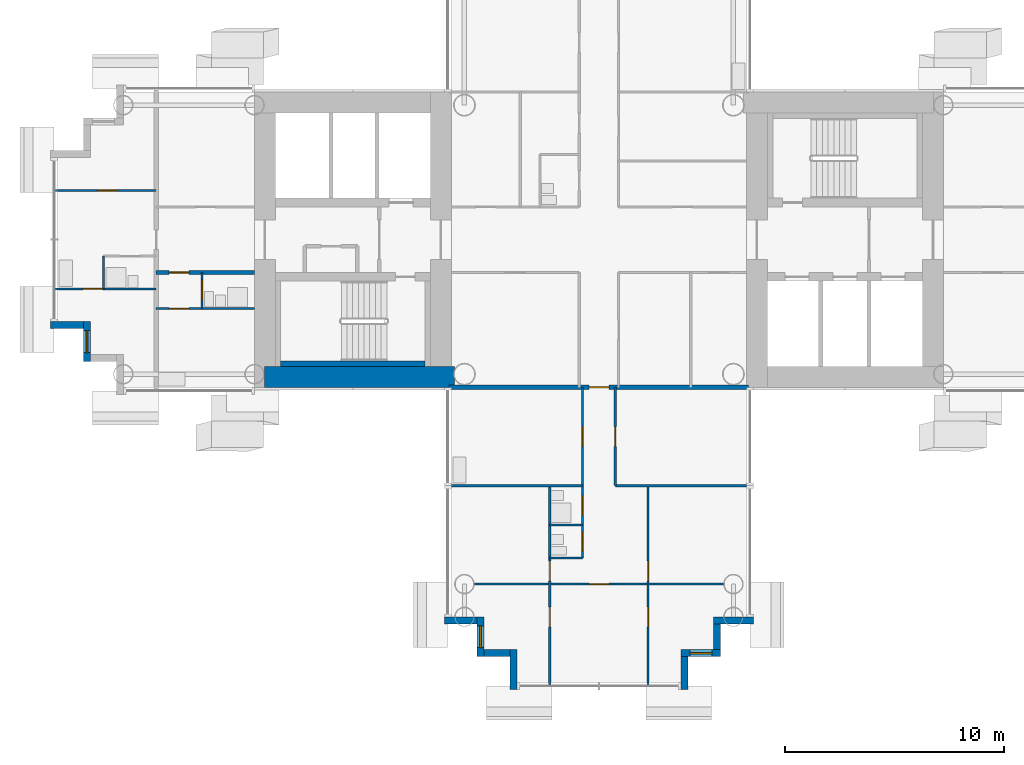
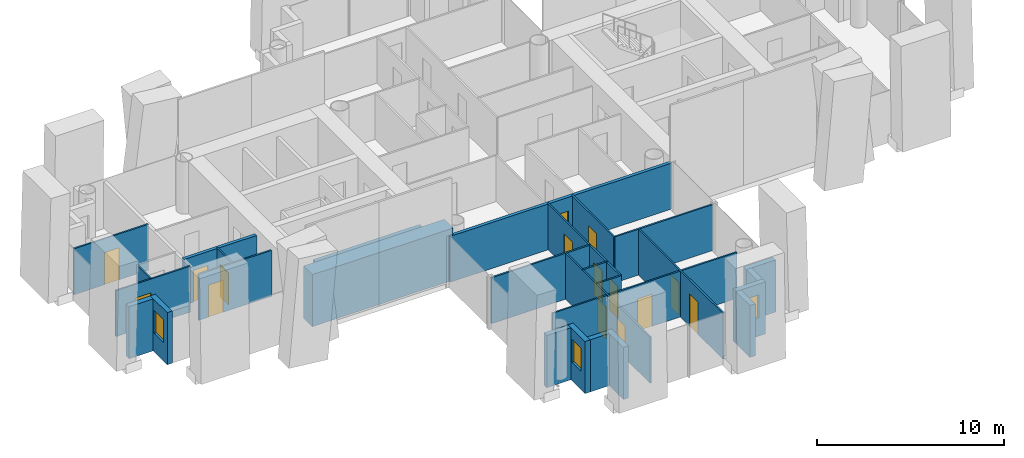
# One storey, part 8 of 21: 28 walls, 15 doors, 3 windows, 18 openings.
"""IFC4 building model written with IfcOpenShell, lengths in metres."""

import ifcopenshell
import ifcopenshell.guid

model = None  # the IFC model being written
_history = None  # IfcOwnerHistory: only IFC2X3 demands one
_inside = {}  # id of a spatial element -> (the spatial element, [elements in it])
_under = {}  # id of a project, library or spatial element -> (it, [spatial elements below it])
_declared = {}  # id of a project -> (the project, [libraries it declares])
_typed = {}  # id of a type object -> (the type object, [elements of that type])
_made_of = {}  # id of a material, layer set ... -> (it, [elements and type objects made of it])


def new_model(schema):
    """Start an empty IFC model of exactly this schema.

    Asked for "IFC4X3", IfcOpenShell would pick the latest addendum, in which some entities
    have other attributes; the version numbers below select the first issue.
    IFC2X3 requires an IfcOwnerHistory on every rooted entity: one is made here for all.
    """
    global model, _history
    if schema == "IFC4X3":
        model = ifcopenshell.file(schema_version=(4, 3, 0, 0))
    else:
        model = ifcopenshell.file(schema=schema)
    _inside.clear()
    _under.clear()
    _declared.clear()
    _typed.clear()
    _made_of.clear()
    _history = None
    if model.schema == "IFC2X3":
        org = make("IfcOrganization", Name="unknown")
        user = make(
            "IfcPersonAndOrganization",
            ThePerson=make("IfcPerson", FamilyName="unknown"),
            TheOrganization=org,
        )
        app = make(
            "IfcApplication",
            ApplicationDeveloper=org,
            Version="unknown",
            ApplicationFullName="unknown",
            ApplicationIdentifier="unknown",
        )
        _history = make(
            "IfcOwnerHistory",
            OwningUser=user,
            OwningApplication=app,
            ChangeAction="ADDED",
            CreationDate=0,
        )
    return model


def make(cls, **values):
    """One entity of the class cls with the attributes given. An attribute that is None is left unset."""
    return model.create_entity(
        cls, **{name: value for name, value in values.items() if value is not None}
    )


def rooted(cls, **values):
    """An entity with a GlobalId (a new one), such as an element, a storey or a relation."""
    return make(cls, GlobalId=ifcopenshell.guid.new(), OwnerHistory=_history, **values)


def si_unit(unit_type, name, prefix=None):
    """IfcSIUnit, for example si_unit("LENGTHUNIT", "METRE", prefix="MILLI")."""
    return make("IfcSIUnit", UnitType=unit_type, Prefix=prefix, Name=name)


def assignment(units):
    """IfcUnitAssignment: the units of a project."""
    return None if units is None else make("IfcUnitAssignment", Units=units)


def point(xyz):
    """IfcCartesianPoint."""
    return None if xyz is None else make("IfcCartesianPoint", Coordinates=xyz)


def direction(xyz):
    """IfcDirection."""
    return None if xyz is None else make("IfcDirection", DirectionRatios=xyz)


def frame(location, z_axis=None, x_axis=None):
    """IfcAxis2Placement3D, a coordinate frame: its origin and axes. An axis left out is left unset."""
    return make(
        "IfcAxis2Placement3D",
        Location=point(location),
        Axis=direction(z_axis),
        RefDirection=direction(x_axis),
    )


def frame_2d(location, x_axis=None):
    """IfcAxis2Placement2D, a coordinate frame in the plane: its origin and x axis."""
    return make(
        "IfcAxis2Placement2D", Location=point(location), RefDirection=direction(x_axis)
    )


def origin():
    """The frame at (0, 0, 0) with its axes left unset."""
    return frame((0.0, 0.0, 0.0))


def place(relative_to, where):
    """IfcLocalPlacement: puts the frame where relative to a parent placement (None: the world)."""
    return make(
        "IfcLocalPlacement", PlacementRelTo=relative_to, RelativePlacement=where
    )


def context(
    kind, dimensions, precision=None, world=None, true_north=None, identifier=None
):
    """IfcGeometricRepresentationContext, for example the 3D "Model" context."""
    return make(
        "IfcGeometricRepresentationContext",
        ContextIdentifier=identifier,
        ContextType=kind,
        CoordinateSpaceDimension=dimensions,
        Precision=precision,
        WorldCoordinateSystem=world,
        TrueNorth=true_north,
    )


def subcontext(parent, identifier, kind, view, scale=None):
    """IfcGeometricRepresentationSubContext, for example "Body" below "Model"."""
    return make(
        "IfcGeometricRepresentationSubContext",
        ContextIdentifier=identifier,
        ContextType=kind,
        ParentContext=parent,
        TargetScale=scale,
        TargetView=view,
    )


def project(units=None, contexts=None):
    """IfcProject with its units and contexts."""
    return rooted(
        "IfcProject",
        Name="project",
        RepresentationContexts=contexts,
        UnitsInContext=assignment(units),
    )


def spatial(cls, under=None, at=None, **own):
    """A site, building, storey or space (cls), placed at a placement, below another one or the project."""
    s = rooted(cls, ObjectPlacement=at, **own)
    if under is not None:
        _under.setdefault(under.id(), (under, []))[1].append(s)
    return s


def profile(cls, at=None, kind="AREA", **sizes):
    """A parametric profile (cls). Its sizes go by their IFC names, for example OverallWidth=200.0."""
    return make(cls, ProfileType=kind, Position=at, **sizes)


def rectangle(**sizes):
    """IfcRectangleProfileDef."""
    return profile("IfcRectangleProfileDef", **sizes)


def extrude(swept, where, along, depth):
    """IfcExtrudedAreaSolid: the profile swept, set in the frame where, extruded along a direction by depth."""
    return make(
        "IfcExtrudedAreaSolid",
        SweptArea=swept,
        Position=where,
        ExtrudedDirection=direction(along),
        Depth=depth,
    )


def shape(context_of_items, identifier, shape_type, items):
    """IfcShapeRepresentation: the items that make up one representation, for example the "Body"."""
    return make(
        "IfcShapeRepresentation",
        ContextOfItems=context_of_items,
        RepresentationIdentifier=identifier,
        RepresentationType=shape_type,
        Items=items,
    )


def material(Name=None, Category=None):
    """IfcMaterial."""
    return make("IfcMaterial", Name=Name, Category=Category)


def layer(
    of_material, thickness, ventilated=None, Name=None, Category=None, Priority=None
):
    """IfcMaterialLayer: one layer of a wall or slab, of a material (None: an air gap)."""
    return make(
        "IfcMaterialLayer",
        Material=of_material,
        LayerThickness=thickness,
        IsVentilated=ventilated,
        Name=Name,
        Category=Category,
        Priority=Priority,
    )


def layer_set(layers, Name=None):
    """IfcMaterialLayerSet."""
    return make("IfcMaterialLayerSet", MaterialLayers=layers, LayerSetName=Name)


def made_of(thing, what):
    """Note that an element or type object is made of a material, layer set ...; save() writes the relation."""
    if what is not None:
        _made_of.setdefault(what.id(), (what, []))[1].append(thing)
    return thing


def type_object(cls, material=None, **own):
    """A type object (cls), such as IfcWallType, which elements share."""
    return made_of(rooted(cls, **own), material)


def element(
    cls,
    number,
    at=None,
    inside=None,
    cuts=None,
    type_object=None,
    material=None,
    context=None,
    identifier="Body",
    shape_type=None,
    held_by="IfcProductDefinitionShape",
    body=None,
    shapes=None,
    **own,
):
    """One element of the class cls, such as IfcWall. Its Tag is "e" and its number.

    at: its placement. inside: the storey or other place that contains it. cuts: it is an
    opening in that element (IfcRelVoidsElement). A single representation is given by context,
    identifier, shape_type and body (its items); several are given by shapes. held_by: the class
    of the entity that holds the representations. save() writes the other relations.
    """
    e = rooted(cls, Tag="e%d" % number, ObjectPlacement=at, **own)
    if body is not None:
        shapes = [shape(context, identifier, shape_type, body)]
    if shapes is not None:
        e.Representation = make(held_by, Representations=shapes)
    if inside is not None:
        _inside.setdefault(inside.id(), (inside, []))[1].append(e)
    if cuts is not None:
        rooted(
            "IfcRelVoidsElement", RelatingBuildingElement=cuts, RelatedOpeningElement=e
        )
    if type_object is not None:
        _typed.setdefault(type_object.id(), (type_object, []))[1].append(e)
    return made_of(e, material)


def fill(opening, filler):
    """IfcRelFillsElement: the door or window that sits in an opening."""
    return rooted(
        "IfcRelFillsElement",
        RelatingOpeningElement=opening,
        RelatedBuildingElement=filler,
    )


def aggregate(whole, parts):
    """IfcRelAggregates: a whole, such as a stair, and the parts it consists of."""
    return rooted("IfcRelAggregates", RelatingObject=whole, RelatedObjects=parts)


def save(model, path):
    """Write the relations noted so far, then the file.

    IfcRelAggregates (storeys below a building ...), IfcRelContainedInSpatialStructure (elements
    in a storey), IfcRelDefinesByType, IfcRelAssociatesMaterial and IfcRelDeclares: one each for
    every whole, place, type object, material and project.
    """
    for whole, parts in _under.values():
        aggregate(whole, parts)
    for where, things in _inside.values():
        rooted(
            "IfcRelContainedInSpatialStructure",
            RelatedElements=things,
            RelatingStructure=where,
        )
    for kind, things in _typed.values():
        rooted("IfcRelDefinesByType", RelatedObjects=things, RelatingType=kind)
    for what, things in _made_of.values():
        rooted("IfcRelAssociatesMaterial", RelatedObjects=things, RelatingMaterial=what)
    for by, libraries in _declared.values():
        rooted("IfcRelDeclares", RelatingContext=by, RelatedDefinitions=libraries)
    model.write(path)


model = new_model("IFC4")

# Units and contexts
model_context = context("Model", 3, precision=1e-05, world=origin(), true_north=direction((0.0, 1.0)))
body_context = subcontext(model_context, "Body", "Model", "MODEL_VIEW")
ifc_project = project(units=[si_unit("LENGTHUNIT", "METRE"), si_unit("AREAUNIT", "SQUARE_METRE"), si_unit("VOLUMEUNIT", "CUBIC_METRE"), si_unit("PLANEANGLEUNIT", "RADIAN"), si_unit("MASSUNIT", "GRAM", prefix="KILO")], contexts=[model_context])

# Site, building, storey
site_placement = place(None, origin())
site = spatial("IfcSite", under=ifc_project, at=site_placement, CompositionType="ELEMENT")
building_placement = place(site_placement, origin())
building = spatial("IfcBuilding", under=site, at=building_placement, Name="Ipe Terrace Towers", CompositionType="ELEMENT")
storey_placement = place(building_placement, frame((0.0, 0.0, 93.60009765625)))
storey = spatial("IfcBuildingStorey", under=building, at=storey_placement, Name="L25", CompositionType="ELEMENT", Elevation=93.60009765625)

# Wall
ifc_material_1 = material(Name="Concrete C40/50 with buff precast cladding", Category="concrete")
ifc_layer_1 = layer(ifc_material_1, 0.320068359375)
ifc_layer_set_1 = layer_set([ifc_layer_1], Name="BUFF CLADDING WALL 320")
wall_type_1 = type_object("IfcWallType", Name="BUFF CLADDING WALL 320", PredefinedType="STANDARD", material=ifc_layer_set_1)
wall_1_placement = place(storey_placement, frame((-61.070068359375, -3.909912109375, -0.300048828125), z_axis=(0.0, 0.0, 1.0), x_axis=(1.0, 0.0, 0.0)))
element("IfcWall", 1, at=wall_1_placement, inside=storey, type_object=wall_type_1, Name="T1-W-L25-00a wall", PredefinedType="STANDARD", context=body_context, shape_type="SweptSolid", body=[
    extrude(rectangle(XDim=1.5, YDim=0.320068359375, at=frame_2d((0.75, 0.0))), origin(), (0.0, 0.0, 1.0), 3.39990234375),
])

# Wall, opening, window
wall_2_placement = place(storey_placement, frame((-59.409912109375, -3.75, -0.300048828125), z_axis=(0.0, 0.0, 1.0), x_axis=(0.0, -1.0, 0.0)))
wall_2 = element("IfcWall", 2, at=wall_2_placement, inside=storey, type_object=wall_type_1, Name="T1-W-L25-01a wall", PredefinedType="STANDARD", context=body_context, shape_type="SweptSolid", body=[
    extrude(rectangle(XDim=1.820068359375, YDim=0.320068359375, at=frame_2d((0.91015625, 0.0))), origin(), (0.0, 0.0, 1.0), 3.39990234375),
])
opening_1_placement = place(wall_2_placement, frame((0.409912109375, 0.0, 1.199951171875)))
opening_1 = element("IfcOpeningElement", 3, at=opening_1_placement, cuts=wall_2, Name="Opening T1-W-05-L25-03", PredefinedType="OPENING", context=body_context, shape_type="SweptSolid", body=[
    extrude(rectangle(XDim=1.0, YDim=1.5, at=frame_2d((0.5, 0.75))), frame((0.0, 0.169921875, 0.0), z_axis=(0.0, -1.0, 0.0), x_axis=(1.0, 0.0, 0.0)), (0.0, 0.0, 1.0), 0.340087890625),
])
ifc_material_2 = material(Name="Glass, clear laminated", Category="glass")
window_type = type_object("IfcWindowType", Name="DWELLING WINDOW 1000 x 1500", PartitioningType="SINGLE_PANEL", PredefinedType="WINDOW", material=ifc_material_2)
window_1_placement = place(opening_1_placement, origin())
window_1 = element("IfcWindow", 4, at=window_1_placement, inside=storey, type_object=window_type, Name="W-05 window", OverallHeight=1.5, OverallWidth=1.0, PartitioningType="SINGLE_PANEL", PredefinedType="WINDOW", context=body_context, shape_type="SweptSolid", body=[
    extrude(rectangle(XDim=1.0, YDim=1.5, at=frame_2d((0.5, 0.75))), frame((0.0, 0.030029296875, 0.0), z_axis=(0.0, -1.0, 0.0), x_axis=(1.0, 0.0, 0.0)), (0.0, 0.0, 1.0), 0.06005859375),
])
fill(opening_1, window_1)

# Wall
wall_3_placement = place(storey_placement, frame((-43.070068359375, -17.409912109375, -0.300048828125), z_axis=(0.0, 0.0, 1.0), x_axis=(1.0, 0.0, 0.0)))
element("IfcWall", 5, at=wall_3_placement, inside=storey, type_object=wall_type_1, Name="T1-W-L25-08a wall", PredefinedType="STANDARD", context=body_context, shape_type="SweptSolid", body=[
    extrude(rectangle(XDim=1.5, YDim=0.320068359375, at=frame_2d((0.75, 0.0))), origin(), (0.0, 0.0, 1.0), 3.39990234375),
])

# Wall, opening, window
wall_4_placement = place(storey_placement, frame((-41.409912109375, -17.25, -0.300048828125), z_axis=(0.0, 0.0, 1.0), x_axis=(0.0, -1.0, 0.0)))
wall_4 = element("IfcWall", 6, at=wall_4_placement, inside=storey, type_object=wall_type_1, Name="T1-W-L25-09a wall", PredefinedType="STANDARD", context=body_context, shape_type="SweptSolid", body=[
    extrude(rectangle(XDim=1.820068359375, YDim=0.320068359375, at=frame_2d((0.91015625, 0.0))), origin(), (0.0, 0.0, 1.0), 3.39990234375),
])
opening_2_placement = place(wall_4_placement, frame((0.409912109375, 0.0, 1.199951171875)))
opening_2 = element("IfcOpeningElement", 7, at=opening_2_placement, cuts=wall_4, Name="Opening T1-W-05-L25-02", PredefinedType="OPENING", context=body_context, shape_type="SweptSolid", body=[
    extrude(rectangle(XDim=1.0, YDim=1.5, at=frame_2d((0.5, 0.75))), frame((0.0, 0.169921875, 0.0), z_axis=(0.0, -1.0, 0.0), x_axis=(1.0, 0.0, 0.0)), (0.0, 0.0, 1.0), 0.340087890625),
])
window_2_placement = place(opening_2_placement, origin())
window_2 = element("IfcWindow", 8, at=window_2_placement, inside=storey, type_object=window_type, Name="W-05 window", OverallHeight=1.5, OverallWidth=1.0, PartitioningType="SINGLE_PANEL", PredefinedType="WINDOW", context=body_context, shape_type="SweptSolid", body=[
    extrude(rectangle(XDim=1.0, YDim=1.5, at=frame_2d((0.5, 0.75))), frame((0.0, 0.030029296875, 0.0), z_axis=(0.0, -1.0, 0.0), x_axis=(1.0, 0.0, 0.0)), (0.0, 0.0, 1.0), 0.06005859375),
])
fill(opening_2, window_2)

# Walls
wall_5_placement = place(storey_placement, frame((-41.25, -18.909912109375, -0.300048828125), z_axis=(0.0, 0.0, 1.0), x_axis=(1.0, 0.0, 0.0)))
element("IfcWall", 9, at=wall_5_placement, inside=storey, type_object=wall_type_1, Name="T1-W-L25-10a wall", PredefinedType="STANDARD", context=body_context, shape_type="SweptSolid", body=[
    extrude(rectangle(XDim=1.179931640625, YDim=0.320068359375, at=frame_2d((0.58984375, 0.0))), origin(), (0.0, 0.0, 1.0), 3.39990234375),
])
wall_6_placement = place(storey_placement, frame((-39.909912109375, -18.75, -0.300048828125), z_axis=(0.0, 0.0, 1.0), x_axis=(0.0, -1.0, 0.0)))
element("IfcWall", 10, at=wall_6_placement, inside=storey, type_object=wall_type_1, Name="T1-W-L25-11a wall", PredefinedType="STANDARD", context=body_context, shape_type="SweptSolid", body=[
    extrude(rectangle(XDim=1.820068359375, YDim=0.320068359375, at=frame_2d((0.91015625, 0.0))), origin(), (0.0, 0.0, 1.0), 3.39990234375),
])
wall_7_placement = place(storey_placement, frame((-32.090087890625, -20.570068359375, -0.300048828125), z_axis=(0.0, 0.0, 1.0), x_axis=(0.0, 1.0, 0.0)))
element("IfcWall", 11, at=wall_7_placement, inside=storey, type_object=wall_type_1, Name="T1-W-L25-13a wall", PredefinedType="STANDARD", context=body_context, shape_type="SweptSolid", body=[
    extrude(rectangle(XDim=1.5, YDim=0.320068359375, at=frame_2d((0.75, 0.0))), origin(), (0.0, 0.0, 1.0), 3.39990234375),
])

# Wall, opening, window
wall_8_placement = place(storey_placement, frame((-32.25, -18.909912109375, -0.300048828125), z_axis=(0.0, 0.0, 1.0), x_axis=(1.0, 0.0, 0.0)))
wall_8 = element("IfcWall", 12, at=wall_8_placement, inside=storey, type_object=wall_type_1, Name="T1-W-L25-14a wall", PredefinedType="STANDARD", context=body_context, shape_type="SweptSolid", body=[
    extrude(rectangle(XDim=1.820068359375, YDim=0.320068359375, at=frame_2d((0.91015625, 0.0))), origin(), (0.0, 0.0, 1.0), 3.39990234375),
])
opening_3_placement = place(wall_8_placement, frame((0.409912109375, 0.0, 1.199951171875)))
opening_3 = element("IfcOpeningElement", 13, at=opening_3_placement, cuts=wall_8, Name="Opening T1-W-05-L25-01", PredefinedType="OPENING", context=body_context, shape_type="SweptSolid", body=[
    extrude(rectangle(XDim=1.0, YDim=1.5, at=frame_2d((0.5, 0.75))), frame((0.0, 0.169921875, 0.0), z_axis=(0.0, -1.0, 0.0), x_axis=(1.0, 0.0, 0.0)), (0.0, 0.0, 1.0), 0.340087890625),
])
window_3_placement = place(opening_3_placement, origin())
window_3 = element("IfcWindow", 14, at=window_3_placement, inside=storey, type_object=window_type, Name="W-05 window", OverallHeight=1.5, OverallWidth=1.0, PartitioningType="SINGLE_PANEL", PredefinedType="WINDOW", context=body_context, shape_type="SweptSolid", body=[
    extrude(rectangle(XDim=1.0, YDim=1.5, at=frame_2d((0.5, 0.75))), frame((0.0, 0.030029296875, 0.0), z_axis=(0.0, -1.0, 0.0), x_axis=(1.0, 0.0, 0.0)), (0.0, 0.0, 1.0), 0.06005859375),
])
fill(opening_3, window_3)

# Walls
wall_9_placement = place(storey_placement, frame((-30.590087890625, -18.75, -0.300048828125), z_axis=(0.0, 0.0, 1.0), x_axis=(0.0, 1.0, 0.0)))
element("IfcWall", 15, at=wall_9_placement, inside=storey, type_object=wall_type_1, Name="T1-W-L25-15a wall", PredefinedType="STANDARD", context=body_context, shape_type="SweptSolid", body=[
    extrude(rectangle(XDim=1.179931640625, YDim=0.320068359375, at=frame_2d((0.58984375, 0.0))), origin(), (0.0, 0.0, 1.0), 3.39990234375),
])
wall_10_placement = place(storey_placement, frame((-30.75, -17.409912109375, -0.300048828125), z_axis=(0.0, 0.0, 1.0), x_axis=(1.0, 0.0, 0.0)))
element("IfcWall", 16, at=wall_10_placement, inside=storey, type_object=wall_type_1, Name="T1-W-L25-16a wall", PredefinedType="STANDARD", context=body_context, shape_type="SweptSolid", body=[
    extrude(rectangle(XDim=1.820068359375, YDim=0.320068359375, at=frame_2d((0.91015625, 0.0))), origin(), (0.0, 0.0, 1.0), 3.39990234375),
])
ifc_material_3 = material(Name="Gypsum board partition", Category="plasterboard")
ifc_layer_2 = layer(ifc_material_3, 0.10009765625)
ifc_layer_set_2 = layer_set([ifc_layer_2], Name="Gypsum board partition 100 mm")
wall_type_2 = type_object("IfcWallType", Name="Gypsum board partition 100 mm", PredefinedType="PARTITIONING", material=ifc_layer_set_2)
wall_11_placement = place(storey_placement, frame((-58.64990234375, -2.25, 0.0), z_axis=(0.0, 0.0, 1.0), x_axis=(0.0, 1.0, 0.0)))
element("IfcWall", 17, at=wall_11_placement, inside=storey, type_object=wall_type_2, Name="Gypsum board partition T1 L25 W01", PredefinedType="PARTITIONING", context=body_context, shape_type="SweptSolid", body=[
    extrude(rectangle(XDim=1.5, YDim=0.10009765625, at=frame_2d((0.75, 0.0))), origin(), (0.0, 0.0, 1.0), 3.0),
])

# Wall, opening, door
wall_12_placement = place(storey_placement, frame((-54.14990234375, -3.14990234375, 0.0), z_axis=(0.0, 0.0, 1.0), x_axis=(0.0, 1.0, 0.0)))
wall_12 = element("IfcWall", 18, at=wall_12_placement, inside=storey, type_object=wall_type_2, Name="Gypsum board partition T1 L25 W03", PredefinedType="PARTITIONING", context=body_context, shape_type="SweptSolid", body=[
    extrude(rectangle(XDim=1.64990234375, YDim=0.10009765625, at=frame_2d((0.824951171875, 0.0))), origin(), (0.0, 0.0, 1.0), 3.0),
])
opening_4_placement = place(wall_12_placement, frame((0.39990234375, 0.0, 0.0)))
opening_4 = element("IfcOpeningElement", 19, at=opening_4_placement, cuts=wall_12, Name="Opening T1-Z2C-27", PredefinedType="OPENING", context=body_context, shape_type="SweptSolid", body=[
    extrude(rectangle(XDim=0.89990234375, YDim=2.10009765625, at=frame_2d((0.449951171875, 1.050048828125))), frame((0.0, 0.06005859375, 0.0), z_axis=(0.0, -1.0, 0.0), x_axis=(1.0, 0.0, 0.0)), (0.0, 0.0, 1.0), 0.1201171875),
])
ifc_material_4 = material(Name="Timber door leaf", Category="wood")
door_type_1 = type_object("IfcDoorType", Name="Bathroom door 900 x 2100", OperationType="NOTDEFINED", PredefinedType="DOOR", material=ifc_material_4)
door_1_placement = place(opening_4_placement, origin())
door_1 = element("IfcDoor", 20, at=door_1_placement, inside=storey, type_object=door_type_1, Name="Bathroom door T1-Z2C-27", OperationType="SINGLE_SWING_RIGHT", OverallHeight=2.10009765625, OverallWidth=0.89990234375, PredefinedType="DOOR", context=body_context, shape_type="SweptSolid", body=[
    extrude(rectangle(XDim=0.89990234375, YDim=2.10009765625, at=frame_2d((0.449951171875, 1.050048828125))), frame((0.0, 0.02490234375, 0.0), z_axis=(0.0, -1.0, 0.0), x_axis=(1.0, 0.0, 0.0)), (0.0, 0.0, 1.0), 0.050048828125),
])
fill(opening_4, door_1)

# Wall, openings, doors
wall_13_placement = place(storey_placement, frame((-38.25, -20.35009765625, 0.0), z_axis=(0.0, 0.0, 1.0), x_axis=(0.0, 1.0, 0.0)))
wall_13 = element("IfcWall", 21, at=wall_13_placement, inside=storey, type_object=wall_type_2, Name="Gypsum board partition T1 L25 W06", PredefinedType="PARTITIONING", context=body_context, shape_type="SweptSolid", body=[
    extrude(rectangle(XDim=9.10009765625, YDim=0.10009765625, at=frame_2d((4.550048828125, 0.0))), origin(), (0.0, 0.0, 1.0), 3.0),
])
opening_5_placement = place(wall_13_placement, frame((4.75, 0.0, 0.0)))
opening_5 = element("IfcOpeningElement", 22, at=opening_5_placement, cuts=wall_13, Name="Opening T1-Z2C-18", PredefinedType="OPENING", context=body_context, shape_type="SweptSolid", body=[
    extrude(rectangle(XDim=0.89990234375, YDim=2.10009765625, at=frame_2d((0.449951171875, 1.050048828125))), frame((0.0, 0.06005859375, 0.0), z_axis=(0.0, -1.0, 0.0), x_axis=(1.0, 0.0, 0.0)), (0.0, 0.0, 1.0), 0.1201171875),
])
opening_6_placement = place(wall_13_placement, frame((2.64990234375, 0.0, 0.0)))
opening_6 = element("IfcOpeningElement", 23, at=opening_6_placement, cuts=wall_13, Name="Opening T1-Z2C-21", PredefinedType="OPENING", context=body_context, shape_type="SweptSolid", body=[
    extrude(rectangle(XDim=0.89990234375, YDim=2.10009765625, at=frame_2d((0.449951171875, 1.050048828125))), frame((0.0, 0.06005859375, 0.0), z_axis=(0.0, -1.0, 0.0), x_axis=(1.0, 0.0, 0.0)), (0.0, 0.0, 1.0), 0.1201171875),
])
ifc_material_5 = material(Name="Timber door leaf", Category="wood")
door_type_2 = type_object("IfcDoorType", Name="Bedroom door 900 x 2100", OperationType="NOTDEFINED", PredefinedType="DOOR", material=ifc_material_5)
door_2_placement = place(opening_5_placement, origin())
door_2 = element("IfcDoor", 24, at=door_2_placement, inside=storey, type_object=door_type_2, Name="Bedroom door T1-Z2C-18", OperationType="SINGLE_SWING_LEFT", OverallHeight=2.10009765625, OverallWidth=0.89990234375, PredefinedType="DOOR", context=body_context, shape_type="SweptSolid", body=[
    extrude(rectangle(XDim=0.89990234375, YDim=2.10009765625, at=frame_2d((0.449951171875, 1.050048828125))), frame((0.0, 0.02490234375, 0.0), z_axis=(0.0, -1.0, 0.0), x_axis=(1.0, 0.0, 0.0)), (0.0, 0.0, 1.0), 0.050048828125),
])
fill(opening_5, door_2)
door_3_placement = place(opening_6_placement, origin())
door_3 = element("IfcDoor", 25, at=door_3_placement, inside=storey, type_object=door_type_2, Name="Bedroom door T1-Z2C-21", OperationType="SINGLE_SWING_RIGHT", OverallHeight=2.10009765625, OverallWidth=0.89990234375, PredefinedType="DOOR", context=body_context, shape_type="SweptSolid", body=[
    extrude(rectangle(XDim=0.89990234375, YDim=2.10009765625, at=frame_2d((0.449951171875, 1.050048828125))), frame((0.0, 0.02490234375, 0.0), z_axis=(0.0, -1.0, 0.0), x_axis=(1.0, 0.0, 0.0)), (0.0, 0.0, 1.0), 0.050048828125),
])
fill(opening_6, door_3)

wall_14_placement = place(storey_placement, frame((-36.75, -14.550048828125, 0.0), z_axis=(0.0, 0.0, 1.0), x_axis=(0.0, 1.0, 0.0)))
wall_14 = element("IfcWall", 26, at=wall_14_placement, inside=storey, type_object=wall_type_2, Name="Gypsum board partition T1 L25 W09", PredefinedType="PARTITIONING", context=body_context, shape_type="SweptSolid", body=[
    extrude(rectangle(XDim=7.800048828125, YDim=0.10009765625, at=frame_2d((3.89990234375, 0.0))), origin(), (0.0, 0.0, 1.0), 3.0),
])
opening_7_placement = place(wall_14_placement, frame((5.10009765625, 0.0, 0.0)))
opening_7 = element("IfcOpeningElement", 27, at=opening_7_placement, cuts=wall_14, Name="Opening T1-Z2C-13", PredefinedType="OPENING", context=body_context, shape_type="SweptSolid", body=[
    extrude(rectangle(XDim=0.89990234375, YDim=2.10009765625, at=frame_2d((0.449951171875, 1.050048828125))), frame((0.0, 0.06005859375, 0.0), z_axis=(0.0, -1.0, 0.0), x_axis=(1.0, 0.0, 0.0)), (0.0, 0.0, 1.0), 0.1201171875),
])
opening_8_placement = place(wall_14_placement, frame((1.949951171875, 0.0, 0.0)))
opening_8 = element("IfcOpeningElement", 28, at=opening_8_placement, cuts=wall_14, Name="Opening T1-Z2C-15", PredefinedType="OPENING", context=body_context, shape_type="SweptSolid", body=[
    extrude(rectangle(XDim=0.89990234375, YDim=2.10009765625, at=frame_2d((0.449951171875, 1.050048828125))), frame((0.0, 0.06005859375, 0.0), z_axis=(0.0, -1.0, 0.0), x_axis=(1.0, 0.0, 0.0)), (0.0, 0.0, 1.0), 0.1201171875),
])
opening_9_placement = place(wall_14_placement, frame((0.300048828125, 0.0, 0.0)))
opening_9 = element("IfcOpeningElement", 29, at=opening_9_placement, cuts=wall_14, Name="Opening T1-Z2C-16", PredefinedType="OPENING", context=body_context, shape_type="SweptSolid", body=[
    extrude(rectangle(XDim=0.89990234375, YDim=2.10009765625, at=frame_2d((0.449951171875, 1.050048828125))), frame((0.0, 0.06005859375, 0.0), z_axis=(0.0, -1.0, 0.0), x_axis=(1.0, 0.0, 0.0)), (0.0, 0.0, 1.0), 0.1201171875),
])
door_4_placement = place(opening_8_placement, origin())
door_4 = element("IfcDoor", 30, at=door_4_placement, inside=storey, type_object=door_type_1, Name="Bathroom door T1-Z2C-15", OperationType="SINGLE_SWING_RIGHT", OverallHeight=2.10009765625, OverallWidth=0.89990234375, PredefinedType="DOOR", context=body_context, shape_type="SweptSolid", body=[
    extrude(rectangle(XDim=0.89990234375, YDim=2.10009765625, at=frame_2d((0.449951171875, 1.050048828125))), frame((0.0, 0.02490234375, 0.0), z_axis=(0.0, -1.0, 0.0), x_axis=(1.0, 0.0, 0.0)), (0.0, 0.0, 1.0), 0.050048828125),
])
fill(opening_8, door_4)
door_5_placement = place(opening_9_placement, origin())
door_5 = element("IfcDoor", 31, at=door_5_placement, inside=storey, type_object=door_type_1, Name="Bathroom door T1-Z2C-16", OperationType="SINGLE_SWING_RIGHT", OverallHeight=2.10009765625, OverallWidth=0.89990234375, PredefinedType="DOOR", context=body_context, shape_type="SweptSolid", body=[
    extrude(rectangle(XDim=0.89990234375, YDim=2.10009765625, at=frame_2d((0.449951171875, 1.050048828125))), frame((0.0, 0.02490234375, 0.0), z_axis=(0.0, -1.0, 0.0), x_axis=(1.0, 0.0, 0.0)), (0.0, 0.0, 1.0), 0.050048828125),
])
fill(opening_9, door_5)
ifc_material_6 = material(Name="Timber door leaf", Category="wood")
door_type_3 = type_object("IfcDoorType", Name="Lounge door 900 x 2100", OperationType="NOTDEFINED", PredefinedType="DOOR", material=ifc_material_6)
door_6_placement = place(opening_7_placement, origin())
door_6 = element("IfcDoor", 32, at=door_6_placement, inside=storey, type_object=door_type_3, Name="Lounge door T1-Z2C-13", OperationType="SINGLE_SWING_LEFT", OverallHeight=2.10009765625, OverallWidth=0.89990234375, PredefinedType="DOOR", context=body_context, shape_type="SweptSolid", body=[
    extrude(rectangle(XDim=0.89990234375, YDim=2.10009765625, at=frame_2d((0.449951171875, 1.050048828125))), frame((0.0, 0.02490234375, 0.0), z_axis=(0.0, -1.0, 0.0), x_axis=(1.0, 0.0, 0.0)), (0.0, 0.0, 1.0), 0.050048828125),
])
fill(opening_7, door_6)

# Wall, opening, door
wall_15_placement = place(storey_placement, frame((-35.25, -11.25, 0.0), z_axis=(0.0, 0.0, 1.0), x_axis=(0.0, 1.0, 0.0)))
wall_15 = element("IfcWall", 33, at=wall_15_placement, inside=storey, type_object=wall_type_2, Name="Gypsum board partition T1 L25 W10", PredefinedType="PARTITIONING", context=body_context, shape_type="SweptSolid", body=[
    extrude(rectangle(XDim=4.5, YDim=0.10009765625, at=frame_2d((2.25, 0.0))), origin(), (0.0, 0.0, 1.0), 3.0),
])
opening_10_placement = place(wall_15_placement, frame((1.800048828125, 0.0, 0.0)))
opening_10 = element("IfcOpeningElement", 34, at=opening_10_placement, cuts=wall_15, Name="Opening T1-Z2C-12", PredefinedType="OPENING", context=body_context, shape_type="SweptSolid", body=[
    extrude(rectangle(XDim=0.89990234375, YDim=2.10009765625, at=frame_2d((0.449951171875, 1.050048828125))), frame((0.0, 0.06005859375, 0.0), z_axis=(0.0, -1.0, 0.0), x_axis=(1.0, 0.0, 0.0)), (0.0, 0.0, 1.0), 0.1201171875),
])
door_7_placement = place(opening_10_placement, origin())
door_7 = element("IfcDoor", 35, at=door_7_placement, inside=storey, type_object=door_type_3, Name="Lounge door T1-Z2C-12", OperationType="SINGLE_SWING_RIGHT", OverallHeight=2.10009765625, OverallWidth=0.89990234375, PredefinedType="DOOR", context=body_context, shape_type="SweptSolid", body=[
    extrude(rectangle(XDim=0.89990234375, YDim=2.10009765625, at=frame_2d((0.449951171875, 1.050048828125))), frame((0.0, 0.02490234375, 0.0), z_axis=(0.0, -1.0, 0.0), x_axis=(1.0, 0.0, 0.0)), (0.0, 0.0, 1.0), 0.050048828125),
])
fill(opening_10, door_7)

# Wall, openings, doors
wall_16_placement = place(storey_placement, frame((-33.75, -20.35009765625, 0.0), z_axis=(0.0, 0.0, 1.0), x_axis=(0.0, 1.0, 0.0)))
wall_16 = element("IfcWall", 36, at=wall_16_placement, inside=storey, type_object=wall_type_2, Name="Gypsum board partition T1 L25 W13", PredefinedType="PARTITIONING", context=body_context, shape_type="SweptSolid", body=[
    extrude(rectangle(XDim=9.10009765625, YDim=0.10009765625, at=frame_2d((4.550048828125, 0.0))), origin(), (0.0, 0.0, 1.0), 3.0),
])
opening_11_placement = place(wall_16_placement, frame((4.75, 0.0, 0.0)))
opening_11 = element("IfcOpeningElement", 37, at=opening_11_placement, cuts=wall_16, Name="Opening T1-Z2C-17", PredefinedType="OPENING", context=body_context, shape_type="SweptSolid", body=[
    extrude(rectangle(XDim=0.89990234375, YDim=2.10009765625, at=frame_2d((0.449951171875, 1.050048828125))), frame((0.0, 0.06005859375, 0.0), z_axis=(0.0, -1.0, 0.0), x_axis=(1.0, 0.0, 0.0)), (0.0, 0.0, 1.0), 0.1201171875),
])
opening_12_placement = place(wall_16_placement, frame((2.64990234375, 0.0, 0.0)))
opening_12 = element("IfcOpeningElement", 38, at=opening_12_placement, cuts=wall_16, Name="Opening T1-Z2C-20", PredefinedType="OPENING", context=body_context, shape_type="SweptSolid", body=[
    extrude(rectangle(XDim=0.89990234375, YDim=2.10009765625, at=frame_2d((0.449951171875, 1.050048828125))), frame((0.0, 0.06005859375, 0.0), z_axis=(0.0, -1.0, 0.0), x_axis=(1.0, 0.0, 0.0)), (0.0, 0.0, 1.0), 0.1201171875),
])
door_8_placement = place(opening_11_placement, origin())
door_8 = element("IfcDoor", 39, at=door_8_placement, inside=storey, type_object=door_type_2, Name="Bedroom door T1-Z2C-17", OperationType="SINGLE_SWING_RIGHT", OverallHeight=2.10009765625, OverallWidth=0.89990234375, PredefinedType="DOOR", context=body_context, shape_type="SweptSolid", body=[
    extrude(rectangle(XDim=0.89990234375, YDim=2.10009765625, at=frame_2d((0.449951171875, 1.050048828125))), frame((0.0, 0.02490234375, 0.0), z_axis=(0.0, -1.0, 0.0), x_axis=(1.0, 0.0, 0.0)), (0.0, 0.0, 1.0), 0.050048828125),
])
fill(opening_11, door_8)
door_9_placement = place(opening_12_placement, origin())
door_9 = element("IfcDoor", 40, at=door_9_placement, inside=storey, type_object=door_type_2, Name="Bedroom door T1-Z2C-20", OperationType="SINGLE_SWING_LEFT", OverallHeight=2.10009765625, OverallWidth=0.89990234375, PredefinedType="DOOR", context=body_context, shape_type="SweptSolid", body=[
    extrude(rectangle(XDim=0.89990234375, YDim=2.10009765625, at=frame_2d((0.449951171875, 1.050048828125))), frame((0.0, 0.02490234375, 0.0), z_axis=(0.0, -1.0, 0.0), x_axis=(1.0, 0.0, 0.0)), (0.0, 0.0, 1.0), 0.050048828125),
])
fill(opening_12, door_9)

# Wall, opening, door
wall_17_placement = place(storey_placement, frame((-41.699951171875, -15.75, 0.0), z_axis=(0.0, 0.0, 1.0), x_axis=(1.0, 0.0, 0.0)))
wall_17 = element("IfcWall", 41, at=wall_17_placement, inside=storey, type_object=wall_type_2, Name="Gypsum board partition T1 L25 W16", PredefinedType="PARTITIONING", context=body_context, shape_type="SweptSolid", body=[
    extrude(rectangle(XDim=11.39990234375, YDim=0.10009765625, at=frame_2d((5.699951171875, 0.0))), origin(), (0.0, 0.0, 1.0), 3.0),
])
opening_13_placement = place(wall_17_placement, frame((5.25, 0.0, 0.0)))
opening_13 = element("IfcOpeningElement", 42, at=opening_13_placement, cuts=wall_17, Name="Opening T1-Z2C-19", PredefinedType="OPENING", context=body_context, shape_type="SweptSolid", body=[
    extrude(rectangle(XDim=0.89990234375, YDim=2.10009765625, at=frame_2d((0.449951171875, 1.050048828125))), frame((0.0, 0.06005859375, 0.0), z_axis=(0.0, -1.0, 0.0), x_axis=(1.0, 0.0, 0.0)), (0.0, 0.0, 1.0), 0.1201171875),
])
door_10_placement = place(opening_13_placement, origin())
door_10 = element("IfcDoor", 43, at=door_10_placement, inside=storey, type_object=door_type_3, Name="Lounge door T1-Z2C-19", OperationType="SINGLE_SWING_RIGHT", OverallHeight=2.10009765625, OverallWidth=0.89990234375, PredefinedType="DOOR", context=body_context, shape_type="SweptSolid", body=[
    extrude(rectangle(XDim=0.89990234375, YDim=2.10009765625, at=frame_2d((0.449951171875, 1.050048828125))), frame((0.0, 0.02490234375, 0.0), z_axis=(0.0, -1.0, 0.0), x_axis=(1.0, 0.0, 0.0)), (0.0, 0.0, 1.0), 0.050048828125),
])
fill(opening_13, door_10)

# Walls
for number, where, z_axis, x_axis, name in (
    (44, (-38.25, -14.550048828125, 0.0), (0.0, 0.0, 1.0), (1.0, 0.0, 0.0), "Gypsum board partition T1 L25 W17"),
    (45, (-38.25, -13.050048828125, 0.0), (0.0, 0.0, 1.0), (1.0, 0.0, 0.0), "Gypsum board partition T1 L25 W18"),
):
    element("IfcWall", number, at=place(storey_placement, frame(where, z_axis=z_axis, x_axis=x_axis)), inside=storey, type_object=wall_type_2, Name=name, PredefinedType="PARTITIONING", context=body_context, shape_type="SweptSolid", body=[
        extrude(rectangle(XDim=1.5, YDim=0.10009765625, at=frame_2d((0.75, 0.0))), origin(), (0.0, 0.0, 1.0), 3.0),
    ])
for number, where, z_axis, x_axis, name in (
    (46, (-42.85009765625, -11.25, 0.0), (0.0, 0.0, 1.0), (1.0, 0.0, 0.0), "Gypsum board partition T1 L25 W19"),
    (47, (-35.25, -11.25, 0.0), (0.0, 0.0, 1.0), (1.0, 0.0, 0.0), "Gypsum board partition T1 L25 W20"),
):
    element("IfcWall", number, at=place(storey_placement, frame(where, z_axis=z_axis, x_axis=x_axis)), inside=storey, type_object=wall_type_2, Name=name, PredefinedType="PARTITIONING", context=body_context, shape_type="SweptSolid", body=[
        extrude(rectangle(XDim=6.10009765625, YDim=0.10009765625, at=frame_2d((3.050048828125, 0.0))), origin(), (0.0, 0.0, 1.0), 3.0),
    ])

# Wall, opening, door
wall_18_placement = place(storey_placement, frame((-56.25, -3.14990234375, 0.0), z_axis=(0.0, 0.0, 1.0), x_axis=(1.0, 0.0, 0.0)))
wall_18 = element("IfcWall", 48, at=wall_18_placement, inside=storey, type_object=wall_type_2, Name="Gypsum board partition T1 L25 W22", PredefinedType="PARTITIONING", context=body_context, shape_type="SweptSolid", body=[
    extrude(rectangle(XDim=4.5, YDim=0.10009765625, at=frame_2d((2.25, 0.0))), origin(), (0.0, 0.0, 1.0), 3.0),
])
opening_14_placement = place(wall_18_placement, frame((0.60009765625, 0.0, 0.0)))
opening_14 = element("IfcOpeningElement", 49, at=opening_14_placement, cuts=wall_18, Name="Opening T1-Z2C-26", PredefinedType="OPENING", context=body_context, shape_type="SweptSolid", body=[
    extrude(rectangle(XDim=0.89990234375, YDim=2.10009765625, at=frame_2d((0.449951171875, 1.050048828125))), frame((0.0, 0.06005859375, 0.0), z_axis=(0.0, -1.0, 0.0), x_axis=(1.0, 0.0, 0.0)), (0.0, 0.0, 1.0), 0.1201171875),
])
door_11_placement = place(opening_14_placement, origin())
door_11 = element("IfcDoor", 50, at=door_11_placement, inside=storey, type_object=door_type_2, Name="Bedroom door T1-Z2C-26", OperationType="SINGLE_SWING_LEFT", OverallHeight=2.10009765625, OverallWidth=0.89990234375, PredefinedType="DOOR", context=body_context, shape_type="SweptSolid", body=[
    extrude(rectangle(XDim=0.89990234375, YDim=2.10009765625, at=frame_2d((0.449951171875, 1.050048828125))), frame((0.0, 0.02490234375, 0.0), z_axis=(0.0, -1.0, 0.0), x_axis=(1.0, 0.0, 0.0)), (0.0, 0.0, 1.0), 0.050048828125),
])
fill(opening_14, door_11)

wall_19_placement = place(storey_placement, frame((-60.85009765625, -2.25, 0.0), z_axis=(0.0, 0.0, 1.0), x_axis=(1.0, 0.0, 0.0)))
wall_19 = element("IfcWall", 51, at=wall_19_placement, inside=storey, type_object=wall_type_2, Name="Gypsum board partition T1 L25 W23", PredefinedType="PARTITIONING", context=body_context, shape_type="SweptSolid", body=[
    extrude(rectangle(XDim=4.60009765625, YDim=0.10009765625, at=frame_2d((2.300048828125, 0.0))), origin(), (0.0, 0.0, 1.0), 3.0),
])
opening_15_placement = place(wall_19_placement, frame((1.25, 0.0, 0.0)))
opening_15 = element("IfcOpeningElement", 52, at=opening_15_placement, cuts=wall_19, Name="Opening T1-Z2C-31", PredefinedType="OPENING", context=body_context, shape_type="SweptSolid", body=[
    extrude(rectangle(XDim=0.89990234375, YDim=2.10009765625, at=frame_2d((0.449951171875, 1.050048828125))), frame((0.0, 0.06005859375, 0.0), z_axis=(0.0, -1.0, 0.0), x_axis=(1.0, 0.0, 0.0)), (0.0, 0.0, 1.0), 0.1201171875),
])
door_12_placement = place(opening_15_placement, origin())
door_12 = element("IfcDoor", 53, at=door_12_placement, inside=storey, type_object=door_type_2, Name="Bedroom door T1-Z2C-31", OperationType="SINGLE_SWING_LEFT", OverallHeight=2.10009765625, OverallWidth=0.89990234375, PredefinedType="DOOR", context=body_context, shape_type="SweptSolid", body=[
    extrude(rectangle(XDim=0.89990234375, YDim=2.10009765625, at=frame_2d((0.449951171875, 1.050048828125))), frame((0.0, 0.02490234375, 0.0), z_axis=(0.0, -1.0, 0.0), x_axis=(1.0, 0.0, 0.0)), (0.0, 0.0, 1.0), 0.050048828125),
])
fill(opening_15, door_12)

wall_20_placement = place(storey_placement, frame((-60.85009765625, 2.25, 0.0), z_axis=(0.0, 0.0, 1.0), x_axis=(1.0, 0.0, 0.0)))
wall_20 = element("IfcWall", 54, at=wall_20_placement, inside=storey, type_object=wall_type_2, Name="Gypsum board partition T1 L25 W33", PredefinedType="PARTITIONING", context=body_context, shape_type="SweptSolid", body=[
    extrude(rectangle(XDim=4.60009765625, YDim=0.10009765625, at=frame_2d((2.300048828125, 0.0))), origin(), (0.0, 0.0, 1.0), 3.0),
])
opening_16_placement = place(wall_20_placement, frame((1.89990234375, 0.0, 0.0)))
opening_16 = element("IfcOpeningElement", 55, at=opening_16_placement, cuts=wall_20, Name="Opening T1-Z2C-32", PredefinedType="OPENING", context=body_context, shape_type="SweptSolid", body=[
    extrude(rectangle(XDim=0.89990234375, YDim=2.10009765625, at=frame_2d((0.449951171875, 1.050048828125))), frame((0.0, 0.06005859375, 0.0), z_axis=(0.0, -1.0, 0.0), x_axis=(1.0, 0.0, 0.0)), (0.0, 0.0, 1.0), 0.1201171875),
])
door_13_placement = place(opening_16_placement, origin())
door_13 = element("IfcDoor", 56, at=door_13_placement, inside=storey, type_object=door_type_2, Name="Bedroom door T1-Z2C-32", OperationType="SINGLE_SWING_LEFT", OverallHeight=2.10009765625, OverallWidth=0.89990234375, PredefinedType="DOOR", context=body_context, shape_type="SweptSolid", body=[
    extrude(rectangle(XDim=0.89990234375, YDim=2.10009765625, at=frame_2d((0.449951171875, 1.050048828125))), frame((0.0, 0.02490234375, 0.0), z_axis=(0.0, -1.0, 0.0), x_axis=(1.0, 0.0, 0.0)), (0.0, 0.0, 1.0), 0.050048828125),
])
fill(opening_16, door_13)

ifc_material_7 = material(Name="Gypsum board party wall", Category="plasterboard")
ifc_layer_3 = layer(ifc_material_7, 0.199951171875)
ifc_layer_set_3 = layer_set([ifc_layer_3], Name="Gypsum board party wall 200 mm")
wall_type_3 = type_object("IfcWallType", Name="Gypsum board party wall 200 mm", PredefinedType="SOLIDWALL", material=ifc_layer_set_3)
wall_21_placement = place(storey_placement, frame((-42.85009765625, -6.75, 0.0), z_axis=(0.0, 0.0, 1.0), x_axis=(1.0, 0.0, 0.0)))
wall_21 = element("IfcWall", 57, at=wall_21_placement, inside=storey, type_object=wall_type_3, Name="Gypsum board party wall T1 L25 W21", PredefinedType="SOLIDWALL", context=body_context, shape_type="SweptSolid", body=[
    extrude(rectangle(XDim=13.7001953125, YDim=0.199951171875, at=frame_2d((6.85009765625, 0.0))), origin(), (0.0, 0.0, 1.0), 3.0),
])
opening_17_placement = place(wall_21_placement, frame((6.39990234375, 0.0, 0.0)))
opening_17 = element("IfcOpeningElement", 58, at=opening_17_placement, cuts=wall_21, Name="Opening T1-Z2C-14", PredefinedType="OPENING", context=body_context, shape_type="SweptSolid", body=[
    extrude(rectangle(XDim=0.89990234375, YDim=2.10009765625, at=frame_2d((0.449951171875, 1.050048828125))), frame((0.0, 0.10986328125, 0.0), z_axis=(0.0, -1.0, 0.0), x_axis=(1.0, 0.0, 0.0)), (0.0, 0.0, 1.0), 0.219970703125),
])
ifc_material_8 = material(Name="Fire-rated timber door leaf", Category="wood")
door_type_4 = type_object("IfcDoorType", Name="Flat entrance door 900 x 2100 FD30S", OperationType="NOTDEFINED", PredefinedType="DOOR", material=ifc_material_8)
door_14_placement = place(opening_17_placement, origin())
door_14 = element("IfcDoor", 59, at=door_14_placement, inside=storey, type_object=door_type_4, Name="Flat entrance door T1-Z2C-14", OperationType="SINGLE_SWING_RIGHT", OverallHeight=2.10009765625, OverallWidth=0.89990234375, PredefinedType="DOOR", context=body_context, shape_type="SweptSolid", body=[
    extrude(rectangle(XDim=0.89990234375, YDim=2.10009765625, at=frame_2d((0.449951171875, 1.050048828125))), frame((0.0, 0.02490234375, 0.0), z_axis=(0.0, -1.0, 0.0), x_axis=(1.0, 0.0, 0.0)), (0.0, 0.0, 1.0), 0.050048828125),
])
fill(opening_17, door_14)

wall_22_placement = place(storey_placement, frame((-56.25, -1.5, 0.0), z_axis=(0.0, 0.0, 1.0), x_axis=(1.0, 0.0, 0.0)))
wall_22 = element("IfcWall", 60, at=wall_22_placement, inside=storey, type_object=wall_type_3, Name="Gypsum board party wall T1 L25 W27", PredefinedType="SOLIDWALL", context=body_context, shape_type="SweptSolid", body=[
    extrude(rectangle(XDim=4.5, YDim=0.199951171875, at=frame_2d((2.25, 0.0))), origin(), (0.0, 0.0, 1.0), 3.0),
])
opening_18_placement = place(wall_22_placement, frame((0.60009765625, 0.0, 0.0)))
opening_18 = element("IfcOpeningElement", 61, at=opening_18_placement, cuts=wall_22, Name="Opening T1-Z2C-25", PredefinedType="OPENING", context=body_context, shape_type="SweptSolid", body=[
    extrude(rectangle(XDim=0.89990234375, YDim=2.10009765625, at=frame_2d((0.449951171875, 1.050048828125))), frame((0.0, 0.10986328125, 0.0), z_axis=(0.0, -1.0, 0.0), x_axis=(1.0, 0.0, 0.0)), (0.0, 0.0, 1.0), 0.219970703125),
])
door_15_placement = place(opening_18_placement, origin())
door_15 = element("IfcDoor", 62, at=door_15_placement, inside=storey, type_object=door_type_4, Name="Flat entrance door T1-Z2C-25", OperationType="SINGLE_SWING_LEFT", OverallHeight=2.10009765625, OverallWidth=0.89990234375, PredefinedType="DOOR", context=body_context, shape_type="SweptSolid", body=[
    extrude(rectangle(XDim=0.89990234375, YDim=2.10009765625, at=frame_2d((0.449951171875, 1.050048828125))), frame((0.0, 0.02490234375, 0.0), z_axis=(0.0, -1.0, 0.0), x_axis=(1.0, 0.0, 0.0)), (0.0, 0.0, 1.0), 0.050048828125),
])
fill(opening_18, door_15)

# Walls
ifc_material_9 = material(Name="Concrete C50/60", Category="concrete")
ifc_layer_4 = layer(ifc_material_9, 0.25)
ifc_layer_set_4 = layer_set([ifc_layer_4], Name="RW250 CORE INFILL WALL 250 C50-60")
wall_type_4 = type_object("IfcWallType", Name="RW250 CORE INFILL WALL 250 C50-60", PredefinedType="SHEAR", material=ifc_layer_set_4)
wall_23_placement = place(storey_placement, frame((-43.949951171875, -5.675048828125, 0.0), z_axis=(0.0, 0.0, 1.0), x_axis=(-1.0, 0.0, 0.0)))
element("IfcWall", 63, at=wall_23_placement, inside=storey, type_object=wall_type_4, Name="Core infill wall T1-C2-back", PredefinedType="SHEAR", context=body_context, shape_type="SweptSolid", body=[
    extrude(rectangle(XDim=6.60009765625, YDim=0.25, at=frame_2d((3.300048828125, 0.0))), origin(), (0.0, 0.0, 1.0), 3.39990234375),
])
ifc_material_10 = material(Name="Concrete C50/60", Category="concrete")
ifc_layer_5 = layer(ifc_material_10, 0.949951171875)
ifc_layer_set_5 = layer_set([ifc_layer_5], Name="RW950 CORE WALL 950 C50-60")
wall_type_5 = type_object("IfcWallType", Name="RW950 CORE WALL 950 C50-60", PredefinedType="SHEAR", material=ifc_layer_set_5)
wall_24_placement = place(storey_placement, frame((-51.298095703125, -6.27490234375, 0.0), z_axis=(0.0, 0.0, 1.0), x_axis=(1.0, 0.0, 0.0)))
element("IfcWall", 64, at=wall_24_placement, inside=storey, type_object=wall_type_5, Name="Core wall T1-C2-Z2-W01", PredefinedType="SHEAR", context=body_context, shape_type="SweptSolid", body=[
    extrude(rectangle(XDim=8.696044921875, YDim=0.949951171875, at=frame_2d((4.34814453125, 0.0))), origin(), (0.0, 0.0, 1.0), 3.39990234375),
])

save(model, "model.ifc")
